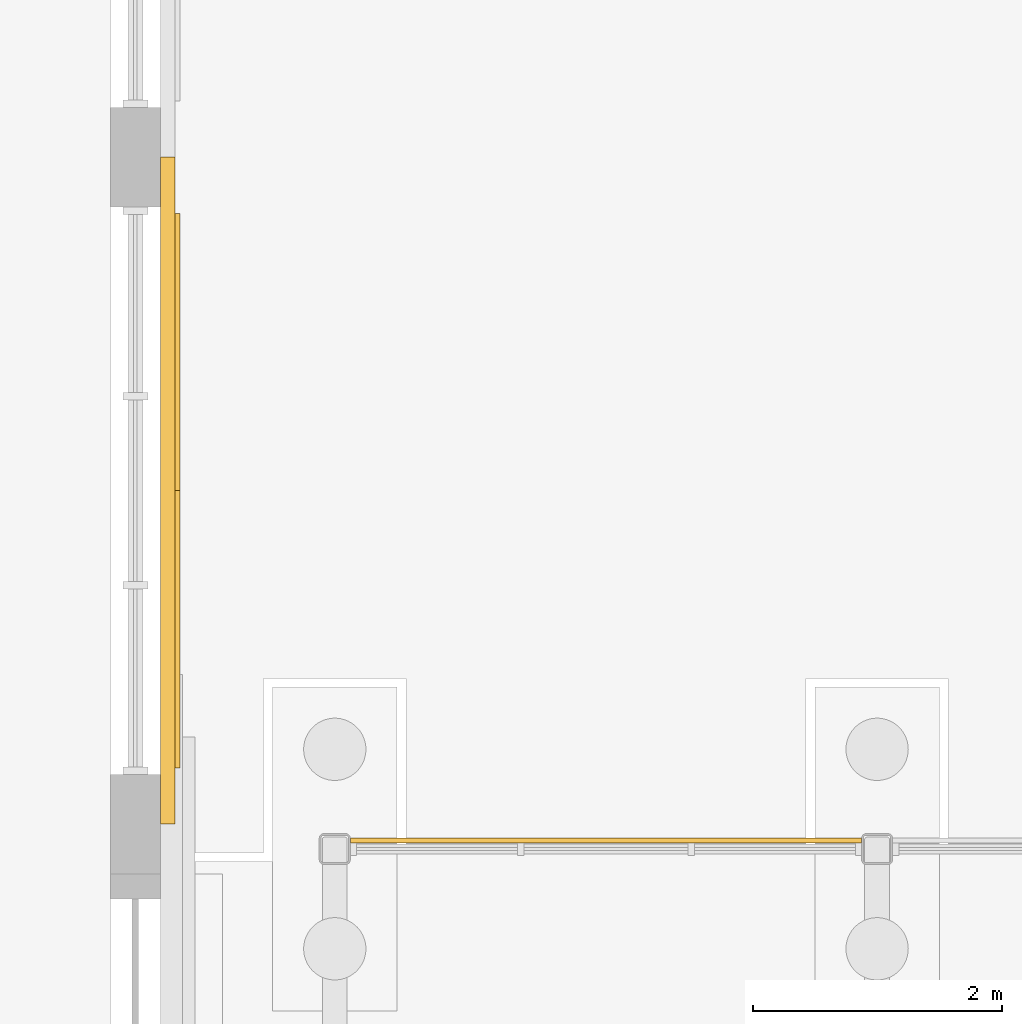
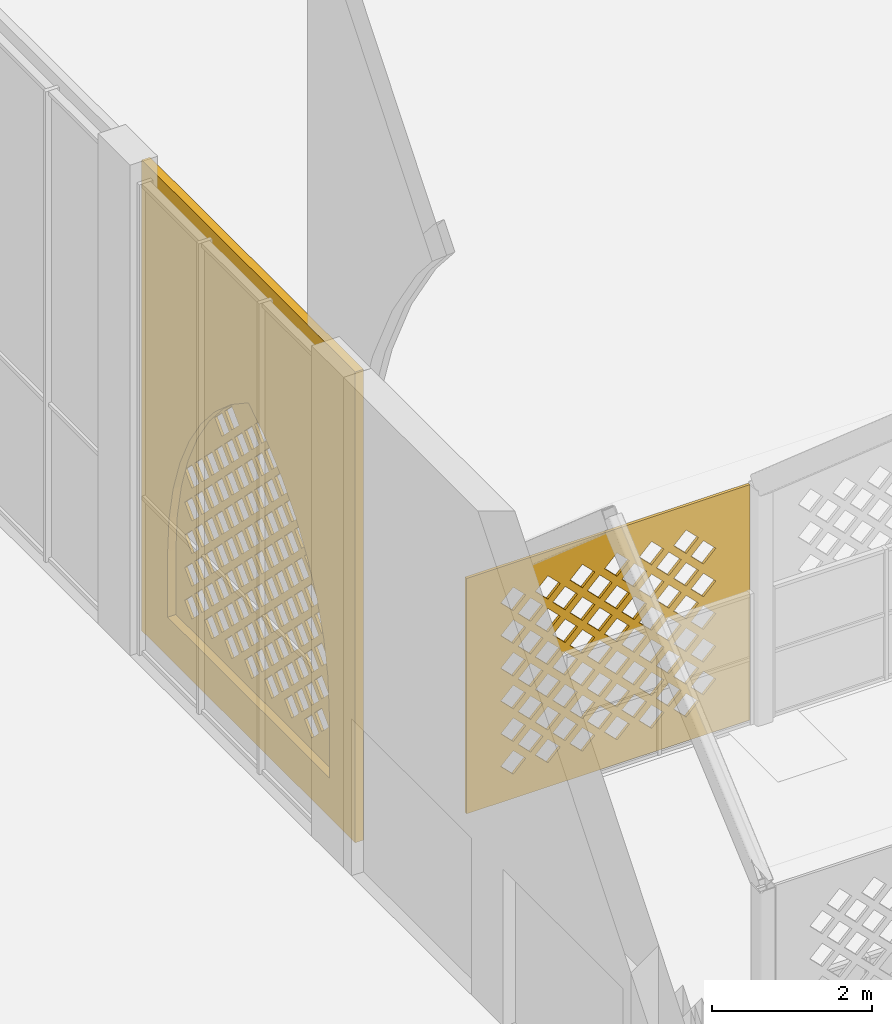
# One storey, part 66 of 79: 3 coverings.
"""IFC4 building model written with IfcOpenShell, lengths in metres."""

from ifc_helpers import new_model, si_unit, direction, frame, origin, place, context, subcontext, project, spatial, polyline, outline, extrude, material, layer, layer_set, type_object, element, save


model = new_model("IFC4")

# Units and contexts
model_context = context("Model", 3, precision=1e-05, world=origin(), true_north=direction((0.0, 1.0)))
body_context = subcontext(model_context, "Body", "Model", "MODEL_VIEW")
ifc_project = project(units=[si_unit("LENGTHUNIT", "METRE"), si_unit("AREAUNIT", "SQUARE_METRE"), si_unit("VOLUMEUNIT", "CUBIC_METRE"), si_unit("PLANEANGLEUNIT", "RADIAN"), si_unit("MASSUNIT", "GRAM", prefix="KILO")], contexts=[model_context])

# Site, building, storey
site_placement = place(None, origin())
site = spatial("IfcSite", under=ifc_project, at=site_placement, CompositionType="ELEMENT")
building_placement = place(site_placement, origin())
building = spatial("IfcBuilding", under=site, at=building_placement, Name="Noorbagh Ring Tower", CompositionType="ELEMENT")
storey_placement = place(building_placement, origin())
storey = spatial("IfcBuildingStorey", under=building, at=storey_placement, Name="L00", CompositionType="ELEMENT", Elevation=0.0)

# Coverings
ifc_material_1 = material(Name="Red sandstone jali", Category="masonry")
ifc_layer_1 = layer(ifc_material_1, 0.0400390625)
ifc_layer_set_1 = layer_set([ifc_layer_1], Name="Red sandstone jali")
covering_type_1 = type_object("IfcCoveringType", Name="AR-JALI", PredefinedType="USERDEFINED", material=ifc_layer_set_1)
covering_1_placement = place(storey_placement, frame((-89.375, 8.889892578125, 0.0), z_axis=(0.0, 1.0, 0.0), x_axis=(-1.0, 0.0, 0.0)))
element("IfcCovering", 1, at=covering_1_placement, inside=storey, type_object=covering_type_1, Name="Jali screen", ObjectType="SCREEN", PredefinedType="USERDEFINED", context=body_context, shape_type="SweptSolid", body=[
    extrude(outline(polyline([(0.0, 0.0), (4.10009765625, 0.0), (4.10009765625, 3.60009765625), (0.0, 3.60009765625), (0.0, 0.0)]), holes=[polyline([(0.7451171875, 0.550048828125), (0.925048828125, 0.3701171875), (1.10498046875, 0.550048828125), (0.925048828125, 0.72998046875), (0.7451171875, 0.550048828125)]), polyline([(1.2451171875, 0.550048828125), (1.425048828125, 0.3701171875), (1.60498046875, 0.550048828125), (1.425048828125, 0.72998046875), (1.2451171875, 0.550048828125)]), polyline([(1.7451171875, 0.550048828125), (1.925048828125, 0.3701171875), (2.10498046875, 0.550048828125), (1.925048828125, 0.72998046875), (1.7451171875, 0.550048828125)]), polyline([(2.2451171875, 0.550048828125), (2.425048828125, 0.3701171875), (2.60498046875, 0.550048828125), (2.425048828125, 0.72998046875), (2.2451171875, 0.550048828125)]), polyline([(2.7451171875, 0.550048828125), (2.925048828125, 0.3701171875), (3.10498046875, 0.550048828125), (2.925048828125, 0.72998046875), (2.7451171875, 0.550048828125)]), polyline([(3.2451171875, 0.550048828125), (3.425048828125, 0.3701171875), (3.60498046875, 0.550048828125), (3.425048828125, 0.72998046875), (3.2451171875, 0.550048828125)]), polyline([(0.4951171875, 0.800048828125), (0.675048828125, 0.6201171875), (0.85498046875, 0.800048828125), (0.675048828125, 0.97998046875), (0.4951171875, 0.800048828125)]), polyline([(0.9951171875, 0.800048828125), (1.175048828125, 0.6201171875), (1.35498046875, 0.800048828125), (1.175048828125, 0.97998046875), (0.9951171875, 0.800048828125)]), polyline([(1.4951171875, 0.800048828125), (1.675048828125, 0.6201171875), (1.85498046875, 0.800048828125), (1.675048828125, 0.97998046875), (1.4951171875, 0.800048828125)]), polyline([(1.9951171875, 0.800048828125), (2.175048828125, 0.6201171875), (2.35498046875, 0.800048828125), (2.175048828125, 0.97998046875), (1.9951171875, 0.800048828125)]), polyline([(2.4951171875, 0.800048828125), (2.675048828125, 0.6201171875), (2.85498046875, 0.800048828125), (2.675048828125, 0.97998046875), (2.4951171875, 0.800048828125)]), polyline([(2.9951171875, 0.800048828125), (3.175048828125, 0.6201171875), (3.35498046875, 0.800048828125), (3.175048828125, 0.97998046875), (2.9951171875, 0.800048828125)]), polyline([(0.7451171875, 1.050048828125), (0.925048828125, 0.8701171875), (1.10498046875, 1.050048828125), (0.925048828125, 1.22998046875), (0.7451171875, 1.050048828125)]), polyline([(1.2451171875, 1.050048828125), (1.425048828125, 0.8701171875), (1.60498046875, 1.050048828125), (1.425048828125, 1.22998046875), (1.2451171875, 1.050048828125)]), polyline([(1.7451171875, 1.050048828125), (1.925048828125, 0.8701171875), (2.10498046875, 1.050048828125), (1.925048828125, 1.22998046875), (1.7451171875, 1.050048828125)]), polyline([(2.2451171875, 1.050048828125), (2.425048828125, 0.8701171875), (2.60498046875, 1.050048828125), (2.425048828125, 1.22998046875), (2.2451171875, 1.050048828125)]), polyline([(2.7451171875, 1.050048828125), (2.925048828125, 0.8701171875), (3.10498046875, 1.050048828125), (2.925048828125, 1.22998046875), (2.7451171875, 1.050048828125)]), polyline([(3.2451171875, 1.050048828125), (3.425048828125, 0.8701171875), (3.60498046875, 1.050048828125), (3.425048828125, 1.22998046875), (3.2451171875, 1.050048828125)]), polyline([(0.4951171875, 1.300048828125), (0.675048828125, 1.1201171875), (0.85498046875, 1.300048828125), (0.675048828125, 1.47998046875), (0.4951171875, 1.300048828125)]), polyline([(0.9951171875, 1.300048828125), (1.175048828125, 1.1201171875), (1.35498046875, 1.300048828125), (1.175048828125, 1.47998046875), (0.9951171875, 1.300048828125)]), polyline([(1.4951171875, 1.300048828125), (1.675048828125, 1.1201171875), (1.85498046875, 1.300048828125), (1.675048828125, 1.47998046875), (1.4951171875, 1.300048828125)]), polyline([(1.9951171875, 1.300048828125), (2.175048828125, 1.1201171875), (2.35498046875, 1.300048828125), (2.175048828125, 1.47998046875), (1.9951171875, 1.300048828125)]), polyline([(2.4951171875, 1.300048828125), (2.675048828125, 1.1201171875), (2.85498046875, 1.300048828125), (2.675048828125, 1.47998046875), (2.4951171875, 1.300048828125)]), polyline([(2.9951171875, 1.300048828125), (3.175048828125, 1.1201171875), (3.35498046875, 1.300048828125), (3.175048828125, 1.47998046875), (2.9951171875, 1.300048828125)]), polyline([(0.7451171875, 1.550048828125), (0.925048828125, 1.3701171875), (1.10498046875, 1.550048828125), (0.925048828125, 1.72998046875), (0.7451171875, 1.550048828125)]), polyline([(1.2451171875, 1.550048828125), (1.425048828125, 1.3701171875), (1.60498046875, 1.550048828125), (1.425048828125, 1.72998046875), (1.2451171875, 1.550048828125)]), polyline([(1.7451171875, 1.550048828125), (1.925048828125, 1.3701171875), (2.10498046875, 1.550048828125), (1.925048828125, 1.72998046875), (1.7451171875, 1.550048828125)]), polyline([(2.2451171875, 1.550048828125), (2.425048828125, 1.3701171875), (2.60498046875, 1.550048828125), (2.425048828125, 1.72998046875), (2.2451171875, 1.550048828125)]), polyline([(2.7451171875, 1.550048828125), (2.925048828125, 1.3701171875), (3.10498046875, 1.550048828125), (2.925048828125, 1.72998046875), (2.7451171875, 1.550048828125)]), polyline([(3.2451171875, 1.550048828125), (3.425048828125, 1.3701171875), (3.60498046875, 1.550048828125), (3.425048828125, 1.72998046875), (3.2451171875, 1.550048828125)]), polyline([(0.4951171875, 1.800048828125), (0.675048828125, 1.6201171875), (0.85498046875, 1.800048828125), (0.675048828125, 1.97998046875), (0.4951171875, 1.800048828125)]), polyline([(0.9951171875, 1.800048828125), (1.175048828125, 1.6201171875), (1.35498046875, 1.800048828125), (1.175048828125, 1.97998046875), (0.9951171875, 1.800048828125)]), polyline([(1.4951171875, 1.800048828125), (1.675048828125, 1.6201171875), (1.85498046875, 1.800048828125), (1.675048828125, 1.97998046875), (1.4951171875, 1.800048828125)]), polyline([(1.9951171875, 1.800048828125), (2.175048828125, 1.6201171875), (2.35498046875, 1.800048828125), (2.175048828125, 1.97998046875), (1.9951171875, 1.800048828125)]), polyline([(2.4951171875, 1.800048828125), (2.675048828125, 1.6201171875), (2.85498046875, 1.800048828125), (2.675048828125, 1.97998046875), (2.4951171875, 1.800048828125)]), polyline([(2.9951171875, 1.800048828125), (3.175048828125, 1.6201171875), (3.35498046875, 1.800048828125), (3.175048828125, 1.97998046875), (2.9951171875, 1.800048828125)]), polyline([(0.7451171875, 2.050048828125), (0.925048828125, 1.8701171875), (1.10498046875, 2.050048828125), (0.925048828125, 2.22998046875), (0.7451171875, 2.050048828125)]), polyline([(1.2451171875, 2.050048828125), (1.425048828125, 1.8701171875), (1.60498046875, 2.050048828125), (1.425048828125, 2.22998046875), (1.2451171875, 2.050048828125)]), polyline([(1.7451171875, 2.050048828125), (1.925048828125, 1.8701171875), (2.10498046875, 2.050048828125), (1.925048828125, 2.22998046875), (1.7451171875, 2.050048828125)]), polyline([(2.2451171875, 2.050048828125), (2.425048828125, 1.8701171875), (2.60498046875, 2.050048828125), (2.425048828125, 2.22998046875), (2.2451171875, 2.050048828125)]), polyline([(2.7451171875, 2.050048828125), (2.925048828125, 1.8701171875), (3.10498046875, 2.050048828125), (2.925048828125, 2.22998046875), (2.7451171875, 2.050048828125)]), polyline([(3.2451171875, 2.050048828125), (3.425048828125, 1.8701171875), (3.60498046875, 2.050048828125), (3.425048828125, 2.22998046875), (3.2451171875, 2.050048828125)]), polyline([(0.4951171875, 2.300048828125), (0.675048828125, 2.1201171875), (0.85498046875, 2.300048828125), (0.675048828125, 2.47998046875), (0.4951171875, 2.300048828125)]), polyline([(0.9951171875, 2.300048828125), (1.175048828125, 2.1201171875), (1.35498046875, 2.300048828125), (1.175048828125, 2.47998046875), (0.9951171875, 2.300048828125)]), polyline([(1.4951171875, 2.300048828125), (1.675048828125, 2.1201171875), (1.85498046875, 2.300048828125), (1.675048828125, 2.47998046875), (1.4951171875, 2.300048828125)]), polyline([(1.9951171875, 2.300048828125), (2.175048828125, 2.1201171875), (2.35498046875, 2.300048828125), (2.175048828125, 2.47998046875), (1.9951171875, 2.300048828125)]), polyline([(2.4951171875, 2.300048828125), (2.675048828125, 2.1201171875), (2.85498046875, 2.300048828125), (2.675048828125, 2.47998046875), (2.4951171875, 2.300048828125)]), polyline([(2.9951171875, 2.300048828125), (3.175048828125, 2.1201171875), (3.35498046875, 2.300048828125), (3.175048828125, 2.47998046875), (2.9951171875, 2.300048828125)]), polyline([(0.7451171875, 2.550048828125), (0.925048828125, 2.3701171875), (1.10498046875, 2.550048828125), (0.925048828125, 2.72998046875), (0.7451171875, 2.550048828125)]), polyline([(1.2451171875, 2.550048828125), (1.425048828125, 2.3701171875), (1.60498046875, 2.550048828125), (1.425048828125, 2.72998046875), (1.2451171875, 2.550048828125)]), polyline([(1.7451171875, 2.550048828125), (1.925048828125, 2.3701171875), (2.10498046875, 2.550048828125), (1.925048828125, 2.72998046875), (1.7451171875, 2.550048828125)]), polyline([(2.2451171875, 2.550048828125), (2.425048828125, 2.3701171875), (2.60498046875, 2.550048828125), (2.425048828125, 2.72998046875), (2.2451171875, 2.550048828125)]), polyline([(2.7451171875, 2.550048828125), (2.925048828125, 2.3701171875), (3.10498046875, 2.550048828125), (2.925048828125, 2.72998046875), (2.7451171875, 2.550048828125)]), polyline([(3.2451171875, 2.550048828125), (3.425048828125, 2.3701171875), (3.60498046875, 2.550048828125), (3.425048828125, 2.72998046875), (3.2451171875, 2.550048828125)]), polyline([(0.4951171875, 2.800048828125), (0.675048828125, 2.6201171875), (0.85498046875, 2.800048828125), (0.675048828125, 2.97998046875), (0.4951171875, 2.800048828125)]), polyline([(0.9951171875, 2.800048828125), (1.175048828125, 2.6201171875), (1.35498046875, 2.800048828125), (1.175048828125, 2.97998046875), (0.9951171875, 2.800048828125)]), polyline([(1.4951171875, 2.800048828125), (1.675048828125, 2.6201171875), (1.85498046875, 2.800048828125), (1.675048828125, 2.97998046875), (1.4951171875, 2.800048828125)]), polyline([(1.9951171875, 2.800048828125), (2.175048828125, 2.6201171875), (2.35498046875, 2.800048828125), (2.175048828125, 2.97998046875), (1.9951171875, 2.800048828125)]), polyline([(2.4951171875, 2.800048828125), (2.675048828125, 2.6201171875), (2.85498046875, 2.800048828125), (2.675048828125, 2.97998046875), (2.4951171875, 2.800048828125)]), polyline([(2.9951171875, 2.800048828125), (3.175048828125, 2.6201171875), (3.35498046875, 2.800048828125), (3.175048828125, 2.97998046875), (2.9951171875, 2.800048828125)]), polyline([(0.7451171875, 3.050048828125), (0.925048828125, 2.8701171875), (1.10498046875, 3.050048828125), (0.925048828125, 3.22998046875), (0.7451171875, 3.050048828125)]), polyline([(1.2451171875, 3.050048828125), (1.425048828125, 2.8701171875), (1.60498046875, 3.050048828125), (1.425048828125, 3.22998046875), (1.2451171875, 3.050048828125)]), polyline([(1.7451171875, 3.050048828125), (1.925048828125, 2.8701171875), (2.10498046875, 3.050048828125), (1.925048828125, 3.22998046875), (1.7451171875, 3.050048828125)]), polyline([(2.2451171875, 3.050048828125), (2.425048828125, 2.8701171875), (2.60498046875, 3.050048828125), (2.425048828125, 3.22998046875), (2.2451171875, 3.050048828125)]), polyline([(2.7451171875, 3.050048828125), (2.925048828125, 2.8701171875), (3.10498046875, 3.050048828125), (2.925048828125, 3.22998046875), (2.7451171875, 3.050048828125)]), polyline([(3.2451171875, 3.050048828125), (3.425048828125, 2.8701171875), (3.60498046875, 3.050048828125), (3.425048828125, 3.22998046875), (3.2451171875, 3.050048828125)])]), origin(), (0.0, 0.0, -1.0), 0.0400390625),
])
ifc_material_2 = material(Name="Red sandstone jali", Category="masonry")
ifc_layer_2 = layer(ifc_material_2, 0.0400390625)
ifc_layer_set_2 = layer_set([ifc_layer_2], Name="Red sandstone jali")
covering_type_2 = type_object("IfcCoveringType", Name="STH-JALI", PredefinedType="USERDEFINED", material=ifc_layer_set_2)
covering_2_placement = place(storey_placement, frame((-94.840087890625, 9.449951171875, 0.39990234375), z_axis=(1.0, 0.0, 0.0), x_axis=(0.0, 1.0, 0.0)))
element("IfcCovering", 2, at=covering_2_placement, inside=storey, type_object=covering_type_2, Name="Jali screen", ObjectType="SCREEN", PredefinedType="USERDEFINED", context=body_context, shape_type="SweptSolid", body=[
    extrude(outline(polyline([(0.0, 0.0), (4.449951171875, 0.0), (4.449951171875, 1.0), (4.411865234375, 1.580810546875), (4.29833984375, 2.15185546875), (4.111328125, 2.702880859375), (3.853759765625, 3.22509765625), (3.530517578125, 3.708984375), (3.146728515625, 4.146728515625), (2.708984375, 4.530517578125), (2.22509765625, 4.85400390625), (1.740966796875, 4.530517578125), (1.303466796875, 4.146728515625), (0.919677734375, 3.708984375), (0.59619140625, 3.22509765625), (0.3388671875, 2.702880859375), (0.151611328125, 2.15185546875), (0.0380859375, 1.580810546875), (0.0, 1.0), (0.0, 0.0)]), holes=[polyline([(0.669921875, 0.552001953125), (0.85009765625, 0.371826171875), (1.030029296875, 0.552001953125), (0.85009765625, 0.73193359375), (0.669921875, 0.552001953125)]), polyline([(1.169921875, 0.552001953125), (1.35009765625, 0.371826171875), (1.530029296875, 0.552001953125), (1.35009765625, 0.73193359375), (1.169921875, 0.552001953125)]), polyline([(1.669921875, 0.552001953125), (1.85009765625, 0.371826171875), (2.030029296875, 0.552001953125), (1.85009765625, 0.73193359375), (1.669921875, 0.552001953125)]), polyline([(2.169921875, 0.552001953125), (2.35009765625, 0.371826171875), (2.530029296875, 0.552001953125), (2.35009765625, 0.73193359375), (2.169921875, 0.552001953125)]), polyline([(2.669921875, 0.552001953125), (2.85009765625, 0.371826171875), (3.030029296875, 0.552001953125), (2.85009765625, 0.73193359375), (2.669921875, 0.552001953125)]), polyline([(3.169921875, 0.552001953125), (3.35009765625, 0.371826171875), (3.530029296875, 0.552001953125), (3.35009765625, 0.73193359375), (3.169921875, 0.552001953125)]), polyline([(3.669921875, 0.552001953125), (3.85009765625, 0.371826171875), (4.030029296875, 0.552001953125), (3.85009765625, 0.73193359375), (3.669921875, 0.552001953125)]), polyline([(0.419921875, 0.802001953125), (0.60009765625, 0.621826171875), (0.780029296875, 0.802001953125), (0.60009765625, 0.98193359375), (0.419921875, 0.802001953125)]), polyline([(0.919921875, 0.802001953125), (1.10009765625, 0.621826171875), (1.280029296875, 0.802001953125), (1.10009765625, 0.98193359375), (0.919921875, 0.802001953125)]), polyline([(1.419921875, 0.802001953125), (1.60009765625, 0.621826171875), (1.780029296875, 0.802001953125), (1.60009765625, 0.98193359375), (1.419921875, 0.802001953125)]), polyline([(1.919921875, 0.802001953125), (2.10009765625, 0.621826171875), (2.280029296875, 0.802001953125), (2.10009765625, 0.98193359375), (1.919921875, 0.802001953125)]), polyline([(2.419921875, 0.802001953125), (2.60009765625, 0.621826171875), (2.780029296875, 0.802001953125), (2.60009765625, 0.98193359375), (2.419921875, 0.802001953125)]), polyline([(2.919921875, 0.802001953125), (3.10009765625, 0.621826171875), (3.280029296875, 0.802001953125), (3.10009765625, 0.98193359375), (2.919921875, 0.802001953125)]), polyline([(3.419921875, 0.802001953125), (3.60009765625, 0.621826171875), (3.780029296875, 0.802001953125), (3.60009765625, 0.98193359375), (3.419921875, 0.802001953125)]), polyline([(0.669921875, 1.052001953125), (0.85009765625, 0.871826171875), (1.030029296875, 1.052001953125), (0.85009765625, 1.23193359375), (0.669921875, 1.052001953125)]), polyline([(1.169921875, 1.052001953125), (1.35009765625, 0.871826171875), (1.530029296875, 1.052001953125), (1.35009765625, 1.23193359375), (1.169921875, 1.052001953125)]), polyline([(1.669921875, 1.052001953125), (1.85009765625, 0.871826171875), (2.030029296875, 1.052001953125), (1.85009765625, 1.23193359375), (1.669921875, 1.052001953125)]), polyline([(2.169921875, 1.052001953125), (2.35009765625, 0.871826171875), (2.530029296875, 1.052001953125), (2.35009765625, 1.23193359375), (2.169921875, 1.052001953125)]), polyline([(2.669921875, 1.052001953125), (2.85009765625, 0.871826171875), (3.030029296875, 1.052001953125), (2.85009765625, 1.23193359375), (2.669921875, 1.052001953125)]), polyline([(3.169921875, 1.052001953125), (3.35009765625, 0.871826171875), (3.530029296875, 1.052001953125), (3.35009765625, 1.23193359375), (3.169921875, 1.052001953125)]), polyline([(3.669921875, 1.052001953125), (3.85009765625, 0.871826171875), (4.030029296875, 1.052001953125), (3.85009765625, 1.23193359375), (3.669921875, 1.052001953125)]), polyline([(0.419921875, 1.302001953125), (0.60009765625, 1.121826171875), (0.780029296875, 1.302001953125), (0.60009765625, 1.48193359375), (0.419921875, 1.302001953125)]), polyline([(0.919921875, 1.302001953125), (1.10009765625, 1.121826171875), (1.280029296875, 1.302001953125), (1.10009765625, 1.48193359375), (0.919921875, 1.302001953125)]), polyline([(1.419921875, 1.302001953125), (1.60009765625, 1.121826171875), (1.780029296875, 1.302001953125), (1.60009765625, 1.48193359375), (1.419921875, 1.302001953125)]), polyline([(1.919921875, 1.302001953125), (2.10009765625, 1.121826171875), (2.280029296875, 1.302001953125), (2.10009765625, 1.48193359375), (1.919921875, 1.302001953125)]), polyline([(2.419921875, 1.302001953125), (2.60009765625, 1.121826171875), (2.780029296875, 1.302001953125), (2.60009765625, 1.48193359375), (2.419921875, 1.302001953125)]), polyline([(2.919921875, 1.302001953125), (3.10009765625, 1.121826171875), (3.280029296875, 1.302001953125), (3.10009765625, 1.48193359375), (2.919921875, 1.302001953125)]), polyline([(3.419921875, 1.302001953125), (3.60009765625, 1.121826171875), (3.780029296875, 1.302001953125), (3.60009765625, 1.48193359375), (3.419921875, 1.302001953125)]), polyline([(0.669921875, 1.552001953125), (0.85009765625, 1.371826171875), (1.030029296875, 1.552001953125), (0.85009765625, 1.73193359375), (0.669921875, 1.552001953125)]), polyline([(1.169921875, 1.552001953125), (1.35009765625, 1.371826171875), (1.530029296875, 1.552001953125), (1.35009765625, 1.73193359375), (1.169921875, 1.552001953125)]), polyline([(1.669921875, 1.552001953125), (1.85009765625, 1.371826171875), (2.030029296875, 1.552001953125), (1.85009765625, 1.73193359375), (1.669921875, 1.552001953125)]), polyline([(2.169921875, 1.552001953125), (2.35009765625, 1.371826171875), (2.530029296875, 1.552001953125), (2.35009765625, 1.73193359375), (2.169921875, 1.552001953125)]), polyline([(2.669921875, 1.552001953125), (2.85009765625, 1.371826171875), (3.030029296875, 1.552001953125), (2.85009765625, 1.73193359375), (2.669921875, 1.552001953125)]), polyline([(3.169921875, 1.552001953125), (3.35009765625, 1.371826171875), (3.530029296875, 1.552001953125), (3.35009765625, 1.73193359375), (3.169921875, 1.552001953125)]), polyline([(3.669921875, 1.552001953125), (3.85009765625, 1.371826171875), (4.030029296875, 1.552001953125), (3.85009765625, 1.73193359375), (3.669921875, 1.552001953125)]), polyline([(0.419921875, 1.802001953125), (0.60009765625, 1.621826171875), (0.780029296875, 1.802001953125), (0.60009765625, 1.98193359375), (0.419921875, 1.802001953125)]), polyline([(0.919921875, 1.802001953125), (1.10009765625, 1.621826171875), (1.280029296875, 1.802001953125), (1.10009765625, 1.98193359375), (0.919921875, 1.802001953125)]), polyline([(1.419921875, 1.802001953125), (1.60009765625, 1.621826171875), (1.780029296875, 1.802001953125), (1.60009765625, 1.98193359375), (1.419921875, 1.802001953125)]), polyline([(1.919921875, 1.802001953125), (2.10009765625, 1.621826171875), (2.280029296875, 1.802001953125), (2.10009765625, 1.98193359375), (1.919921875, 1.802001953125)]), polyline([(2.419921875, 1.802001953125), (2.60009765625, 1.621826171875), (2.780029296875, 1.802001953125), (2.60009765625, 1.98193359375), (2.419921875, 1.802001953125)]), polyline([(2.919921875, 1.802001953125), (3.10009765625, 1.621826171875), (3.280029296875, 1.802001953125), (3.10009765625, 1.98193359375), (2.919921875, 1.802001953125)]), polyline([(3.419921875, 1.802001953125), (3.60009765625, 1.621826171875), (3.780029296875, 1.802001953125), (3.60009765625, 1.98193359375), (3.419921875, 1.802001953125)]), polyline([(0.669921875, 2.052001953125), (0.85009765625, 1.871826171875), (1.030029296875, 2.052001953125), (0.85009765625, 2.23193359375), (0.669921875, 2.052001953125)]), polyline([(1.169921875, 2.052001953125), (1.35009765625, 1.871826171875), (1.530029296875, 2.052001953125), (1.35009765625, 2.23193359375), (1.169921875, 2.052001953125)]), polyline([(1.669921875, 2.052001953125), (1.85009765625, 1.871826171875), (2.030029296875, 2.052001953125), (1.85009765625, 2.23193359375), (1.669921875, 2.052001953125)]), polyline([(2.169921875, 2.052001953125), (2.35009765625, 1.871826171875), (2.530029296875, 2.052001953125), (2.35009765625, 2.23193359375), (2.169921875, 2.052001953125)]), polyline([(2.669921875, 2.052001953125), (2.85009765625, 1.871826171875), (3.030029296875, 2.052001953125), (2.85009765625, 2.23193359375), (2.669921875, 2.052001953125)]), polyline([(3.169921875, 2.052001953125), (3.35009765625, 1.871826171875), (3.530029296875, 2.052001953125), (3.35009765625, 2.23193359375), (3.169921875, 2.052001953125)]), polyline([(3.669921875, 2.052001953125), (3.85009765625, 1.871826171875), (4.030029296875, 2.052001953125), (3.85009765625, 2.23193359375), (3.669921875, 2.052001953125)]), polyline([(0.419921875, 2.302001953125), (0.60009765625, 2.121826171875), (0.780029296875, 2.302001953125), (0.60009765625, 2.48193359375), (0.419921875, 2.302001953125)]), polyline([(0.919921875, 2.302001953125), (1.10009765625, 2.121826171875), (1.280029296875, 2.302001953125), (1.10009765625, 2.48193359375), (0.919921875, 2.302001953125)]), polyline([(1.419921875, 2.302001953125), (1.60009765625, 2.121826171875), (1.780029296875, 2.302001953125), (1.60009765625, 2.48193359375), (1.419921875, 2.302001953125)]), polyline([(1.919921875, 2.302001953125), (2.10009765625, 2.121826171875), (2.280029296875, 2.302001953125), (2.10009765625, 2.48193359375), (1.919921875, 2.302001953125)]), polyline([(2.419921875, 2.302001953125), (2.60009765625, 2.121826171875), (2.780029296875, 2.302001953125), (2.60009765625, 2.48193359375), (2.419921875, 2.302001953125)]), polyline([(2.919921875, 2.302001953125), (3.10009765625, 2.121826171875), (3.280029296875, 2.302001953125), (3.10009765625, 2.48193359375), (2.919921875, 2.302001953125)]), polyline([(3.419921875, 2.302001953125), (3.60009765625, 2.121826171875), (3.780029296875, 2.302001953125), (3.60009765625, 2.48193359375), (3.419921875, 2.302001953125)]), polyline([(0.669921875, 2.552001953125), (0.85009765625, 2.371826171875), (1.030029296875, 2.552001953125), (0.85009765625, 2.73193359375), (0.669921875, 2.552001953125)]), polyline([(1.169921875, 2.552001953125), (1.35009765625, 2.371826171875), (1.530029296875, 2.552001953125), (1.35009765625, 2.73193359375), (1.169921875, 2.552001953125)]), polyline([(1.669921875, 2.552001953125), (1.85009765625, 2.371826171875), (2.030029296875, 2.552001953125), (1.85009765625, 2.73193359375), (1.669921875, 2.552001953125)]), polyline([(2.169921875, 2.552001953125), (2.35009765625, 2.371826171875), (2.530029296875, 2.552001953125), (2.35009765625, 2.73193359375), (2.169921875, 2.552001953125)]), polyline([(2.669921875, 2.552001953125), (2.85009765625, 2.371826171875), (3.030029296875, 2.552001953125), (2.85009765625, 2.73193359375), (2.669921875, 2.552001953125)]), polyline([(3.169921875, 2.552001953125), (3.35009765625, 2.371826171875), (3.530029296875, 2.552001953125), (3.35009765625, 2.73193359375), (3.169921875, 2.552001953125)]), polyline([(3.669921875, 2.552001953125), (3.85009765625, 2.371826171875), (4.030029296875, 2.552001953125), (3.85009765625, 2.73193359375), (3.669921875, 2.552001953125)]), polyline([(0.919921875, 2.802001953125), (1.10009765625, 2.621826171875), (1.280029296875, 2.802001953125), (1.10009765625, 2.98193359375), (0.919921875, 2.802001953125)]), polyline([(1.419921875, 2.802001953125), (1.60009765625, 2.621826171875), (1.780029296875, 2.802001953125), (1.60009765625, 2.98193359375), (1.419921875, 2.802001953125)]), polyline([(1.919921875, 2.802001953125), (2.10009765625, 2.621826171875), (2.280029296875, 2.802001953125), (2.10009765625, 2.98193359375), (1.919921875, 2.802001953125)]), polyline([(2.419921875, 2.802001953125), (2.60009765625, 2.621826171875), (2.780029296875, 2.802001953125), (2.60009765625, 2.98193359375), (2.419921875, 2.802001953125)]), polyline([(2.919921875, 2.802001953125), (3.10009765625, 2.621826171875), (3.280029296875, 2.802001953125), (3.10009765625, 2.98193359375), (2.919921875, 2.802001953125)]), polyline([(3.419921875, 2.802001953125), (3.60009765625, 2.621826171875), (3.780029296875, 2.802001953125), (3.60009765625, 2.98193359375), (3.419921875, 2.802001953125)]), polyline([(0.669921875, 3.052001953125), (0.85009765625, 2.871826171875), (1.030029296875, 3.052001953125), (0.85009765625, 3.23193359375), (0.669921875, 3.052001953125)]), polyline([(1.169921875, 3.052001953125), (1.35009765625, 2.871826171875), (1.530029296875, 3.052001953125), (1.35009765625, 3.23193359375), (1.169921875, 3.052001953125)]), polyline([(1.669921875, 3.052001953125), (1.85009765625, 2.871826171875), (2.030029296875, 3.052001953125), (1.85009765625, 3.23193359375), (1.669921875, 3.052001953125)]), polyline([(2.169921875, 3.052001953125), (2.35009765625, 2.871826171875), (2.530029296875, 3.052001953125), (2.35009765625, 3.23193359375), (2.169921875, 3.052001953125)]), polyline([(2.669921875, 3.052001953125), (2.85009765625, 2.871826171875), (3.030029296875, 3.052001953125), (2.85009765625, 3.23193359375), (2.669921875, 3.052001953125)]), polyline([(3.169921875, 3.052001953125), (3.35009765625, 2.871826171875), (3.530029296875, 3.052001953125), (3.35009765625, 3.23193359375), (3.169921875, 3.052001953125)]), polyline([(0.919921875, 3.302001953125), (1.10009765625, 3.121826171875), (1.280029296875, 3.302001953125), (1.10009765625, 3.48193359375), (0.919921875, 3.302001953125)]), polyline([(1.419921875, 3.302001953125), (1.60009765625, 3.121826171875), (1.780029296875, 3.302001953125), (1.60009765625, 3.48193359375), (1.419921875, 3.302001953125)]), polyline([(1.919921875, 3.302001953125), (2.10009765625, 3.121826171875), (2.280029296875, 3.302001953125), (2.10009765625, 3.48193359375), (1.919921875, 3.302001953125)]), polyline([(2.419921875, 3.302001953125), (2.60009765625, 3.121826171875), (2.780029296875, 3.302001953125), (2.60009765625, 3.48193359375), (2.419921875, 3.302001953125)]), polyline([(2.919921875, 3.302001953125), (3.10009765625, 3.121826171875), (3.280029296875, 3.302001953125), (3.10009765625, 3.48193359375), (2.919921875, 3.302001953125)]), polyline([(1.169921875, 3.552001953125), (1.35009765625, 3.371826171875), (1.530029296875, 3.552001953125), (1.35009765625, 3.73193359375), (1.169921875, 3.552001953125)]), polyline([(1.669921875, 3.552001953125), (1.85009765625, 3.371826171875), (2.030029296875, 3.552001953125), (1.85009765625, 3.73193359375), (1.669921875, 3.552001953125)]), polyline([(2.169921875, 3.552001953125), (2.35009765625, 3.371826171875), (2.530029296875, 3.552001953125), (2.35009765625, 3.73193359375), (2.169921875, 3.552001953125)]), polyline([(2.669921875, 3.552001953125), (2.85009765625, 3.371826171875), (3.030029296875, 3.552001953125), (2.85009765625, 3.73193359375), (2.669921875, 3.552001953125)]), polyline([(1.419921875, 3.802001953125), (1.60009765625, 3.621826171875), (1.780029296875, 3.802001953125), (1.60009765625, 3.98193359375), (1.419921875, 3.802001953125)]), polyline([(1.919921875, 3.802001953125), (2.10009765625, 3.621826171875), (2.280029296875, 3.802001953125), (2.10009765625, 3.98193359375), (1.919921875, 3.802001953125)]), polyline([(2.419921875, 3.802001953125), (2.60009765625, 3.621826171875), (2.780029296875, 3.802001953125), (2.60009765625, 3.98193359375), (2.419921875, 3.802001953125)]), polyline([(2.919921875, 3.802001953125), (3.10009765625, 3.621826171875), (3.280029296875, 3.802001953125), (3.10009765625, 3.98193359375), (2.919921875, 3.802001953125)]), polyline([(1.669921875, 4.052001953125), (1.85009765625, 3.871826171875), (2.030029296875, 4.052001953125), (1.85009765625, 4.23193359375), (1.669921875, 4.052001953125)]), polyline([(2.169921875, 4.052001953125), (2.35009765625, 3.871826171875), (2.530029296875, 4.052001953125), (2.35009765625, 4.23193359375), (2.169921875, 4.052001953125)]), polyline([(2.669921875, 4.052001953125), (2.85009765625, 3.871826171875), (3.030029296875, 4.052001953125), (2.85009765625, 4.23193359375), (2.669921875, 4.052001953125)]), polyline([(1.919921875, 4.302001953125), (2.10009765625, 4.121826171875), (2.280029296875, 4.302001953125), (2.10009765625, 4.48193359375), (1.919921875, 4.302001953125)])]), origin(), (0.0, 0.0, -1.0), 0.0400390625),
])
ifc_material_3 = material(Name="Red sandstone cladding", Category="masonry")
ifc_layer_3 = layer(ifc_material_3, 0.1201171875)
ifc_layer_set_3 = layer_set([ifc_layer_3], Name="Red sandstone cladding")
covering_type_3 = type_object("IfcCoveringType", Name="STH-SPANDREL", PredefinedType="USERDEFINED", material=ifc_layer_set_3)
covering_3_placement = place(storey_placement, frame((-94.8798828125, 9.0, 0.0), z_axis=(1.0, 0.0, 0.0), x_axis=(0.0, 1.0, 0.0)))
element("IfcCovering", 3, at=covering_3_placement, inside=storey, type_object=covering_type_3, Name="Arch spandrel", ObjectType="ARCH", PredefinedType="USERDEFINED", context=body_context, shape_type="SweptSolid", body=[
    extrude(outline(polyline([(0.0, 0.0), (5.35009765625, 0.0), (5.35009765625, 7.199951171875), (0.0, 7.199951171875), (0.0, 0.0)]), holes=[polyline([(0.64990234375, 0.60009765625), (0.64990234375, 1.60009765625), (0.6845703125, 2.128662109375), (0.7880859375, 2.648193359375), (0.958251953125, 3.14990234375), (1.192626953125, 3.625), (1.48681640625, 4.0654296875), (1.836181640625, 4.4638671875), (2.234619140625, 4.81298828125), (2.675048828125, 5.107421875), (3.115478515625, 4.81298828125), (3.513916015625, 4.4638671875), (3.863037109375, 4.0654296875), (4.157470703125, 3.625), (4.3916015625, 3.14990234375), (4.56201171875, 2.648193359375), (4.665283203125, 2.128662109375), (4.699951171875, 1.60009765625), (4.699951171875, 0.60009765625), (0.64990234375, 0.60009765625)])]), origin(), (0.0, 0.0, -1.0), 0.1201171875),
])

save(model, "model.ifc")
